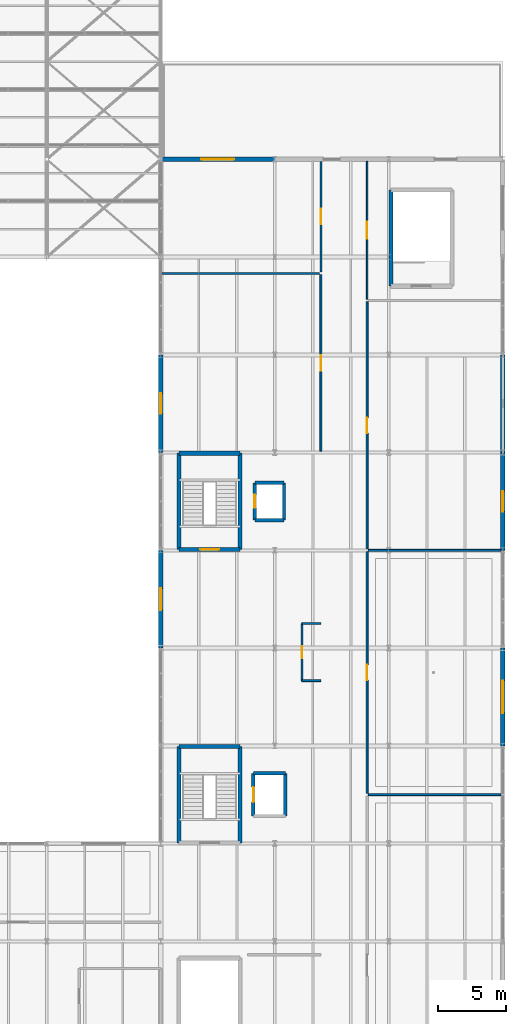
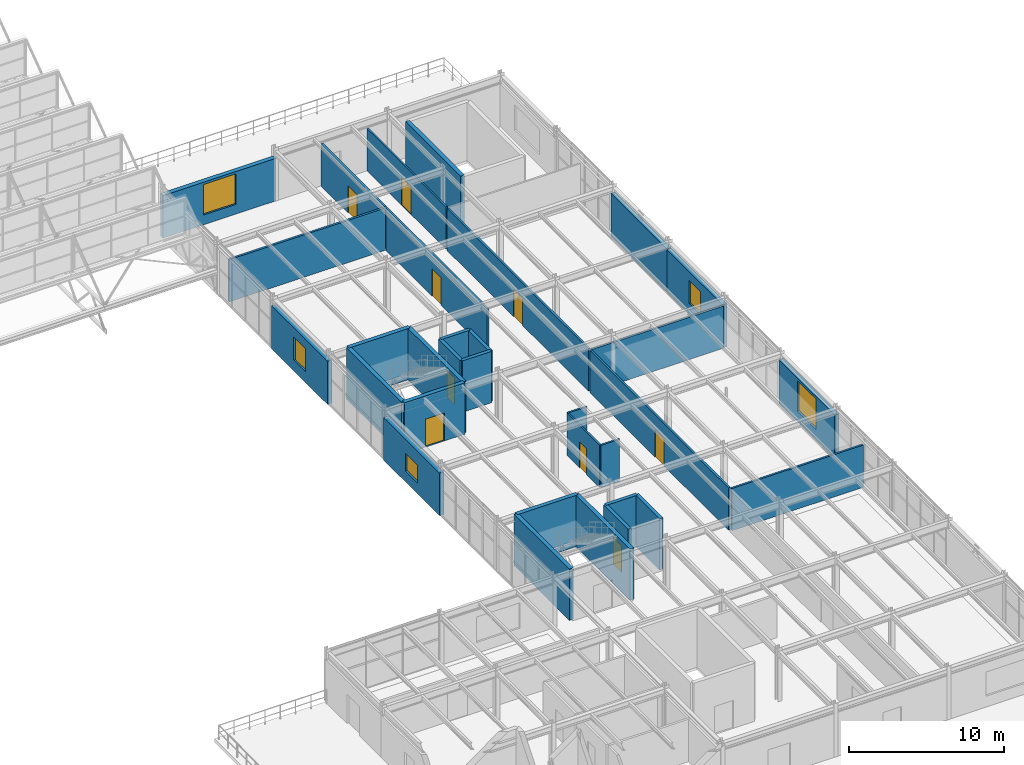
# One storey, part 130 of 134: 32 walls, 9 doors, 5 windows, 14 openings.
"""IFC4 building model written with IfcOpenShell, lengths in metres."""

from ifc_helpers import new_model, si_unit, derived_unit, direction, frame, frame_2d, origin, place, context, subcontext, project, spatial, rectangle, extrude, material, layer, layer_set, type_object, element, fill, save


model = new_model("IFC4")

# Units and contexts
model_context = context("Model", 3, precision=1e-05, world=origin(), true_north=direction((0.0, 1.0)))
body_context = subcontext(model_context, "Body", "Model", "MODEL_VIEW")
ifc_project = project(units=[si_unit("LENGTHUNIT", "METRE"), si_unit("AREAUNIT", "SQUARE_METRE"), si_unit("VOLUMEUNIT", "CUBIC_METRE"), si_unit("PLANEANGLEUNIT", "RADIAN"), si_unit("MASSUNIT", "GRAM", prefix="KILO"), derived_unit("THERMALTRANSMITTANCEUNIT", [(si_unit("MASSUNIT", "GRAM", prefix="KILO"), 1), (si_unit("TIMEUNIT", "SECOND"), -3), (si_unit("THERMODYNAMICTEMPERATUREUNIT", "KELVIN"), -1)])], contexts=[model_context])

# Site, building, storey
site_placement = place(None, origin())
site = spatial("IfcSite", under=ifc_project, at=site_placement, CompositionType="ELEMENT")
building_placement = place(site_placement, origin())
building = spatial("IfcBuilding", under=site, at=building_placement, Name="Kharveza Railside Sports Centre", CompositionType="ELEMENT")
storey_placement = place(building_placement, frame((0.0, 0.0, 12.89990234375)))
storey = spatial("IfcBuildingStorey", under=building, at=storey_placement, Name="L03", CompositionType="ELEMENT", Elevation=12.89990234375)

# Walls
ifc_material_1 = material(Name="Concrete C35/45", Category="concrete")
ifc_layer_1 = layer(ifc_material_1, 0.25, Name="Concrete C35/45")
ifc_layer_set_1 = layer_set([ifc_layer_1], Name="Concrete C35/45")
wall_type_1 = type_object("IfcWallType", Name="WL-CR250", PredefinedType="SHEAR", material=ifc_layer_set_1)
wall_1_placement = place(storey_placement, frame((151.97509765625, 38.02490234375, 0.0), z_axis=(0.0, 0.0, 1.0), x_axis=(0.0, 1.0, 0.0)))
element("IfcWall", 1, at=wall_1_placement, inside=storey, type_object=wall_type_1, Name="WL-LFSH-LF1-L03-E", PredefinedType="SHEAR", context=body_context, shape_type="SweptSolid", body=[
    extrude(rectangle(XDim=3.150146484375, YDim=0.25, at=frame_2d((1.5751953125, 0.0))), origin(), (0.0, 0.0, 1.0), 4.03515625),
])
wall_2_placement = place(storey_placement, frame((151.97509765625, 41.175048828125, 0.0), z_axis=(0.0, 0.0, 1.0), x_axis=(-1.0, 0.0, 0.0)))
element("IfcWall", 2, at=wall_2_placement, inside=storey, type_object=wall_type_1, Name="WL-LFSH-LF1-L03-N", PredefinedType="SHEAR", context=body_context, shape_type="SweptSolid", body=[
    extrude(rectangle(XDim=2.35009765625, YDim=0.25, at=frame_2d((1.175048828125, 0.0))), origin(), (0.0, 0.0, 1.0), 4.03515625),
])

# Wall, opening, door
wall_3_placement = place(storey_placement, frame((149.625, 41.175048828125, 0.0), z_axis=(0.0, 0.0, 1.0), x_axis=(0.0, -1.0, 0.0)))
wall_3 = element("IfcWall", 3, at=wall_3_placement, inside=storey, type_object=wall_type_1, Name="WL-LFSH-LF1-L03-W", PredefinedType="SHEAR", context=body_context, shape_type="SweptSolid", body=[
    extrude(rectangle(XDim=3.150146484375, YDim=0.25, at=frame_2d((1.5751953125, 0.0))), origin(), (0.0, 0.0, 1.0), 4.03515625),
])
opening_1_placement = place(wall_3_placement, frame((1.02490234375, 0.0, 0.0)))
opening_1 = element("IfcOpeningElement", 4, at=opening_1_placement, cuts=wall_3, Name="Opening D11", PredefinedType="OPENING", context=body_context, shape_type="SweptSolid", body=[
    extrude(rectangle(XDim=1.10009765625, YDim=2.10009765625, at=frame_2d((0.550048828125, 1.050048828125))), frame((0.0, 0.14990234375, 0.0), z_axis=(0.0, -1.0, 0.0), x_axis=(1.0, 0.0, 0.0)), (0.0, 0.0, 1.0), 0.2998046875),
])
ifc_material_2 = material(Name="Brushed stainless steel landing door", Category="steel")
door_type_1 = type_object("IfcDoorType", Name="DR-LF01", OperationType="NOTDEFINED", PredefinedType="DOOR", material=ifc_material_2)
door_1_placement = place(opening_1_placement, origin())
door_1 = element("IfcDoor", 5, at=door_1_placement, inside=storey, type_object=door_type_1, Name="DR-LD-LF1-L03", OperationType="SLIDING_TO_LEFT", OverallHeight=2.10009765625, OverallWidth=1.10009765625, PredefinedType="DOOR", context=body_context, shape_type="SweptSolid", body=[
    extrude(rectangle(XDim=1.10009765625, YDim=2.10009765625, at=frame_2d((0.550048828125, 1.050048828125))), frame((0.0, 0.02490234375, 0.0), z_axis=(0.0, -1.0, 0.0), x_axis=(1.0, 0.0, 0.0)), (0.0, 0.0, 1.0), 0.050048828125),
])
fill(opening_1, door_1)

# Walls
wall_4_placement = place(storey_placement, frame((149.72509765625, 59.824951171875, 0.0), z_axis=(0.0, 0.0, 1.0), x_axis=(1.0, 0.0, 0.0)))
element("IfcWall", 6, at=wall_4_placement, inside=storey, type_object=wall_type_1, Name="WL-LFSH-LF2-L03-S", PredefinedType="SHEAR", context=body_context, shape_type="SweptSolid", body=[
    extrude(rectangle(XDim=2.14990234375, YDim=0.25, at=frame_2d((1.074951171875, 0.0))), origin(), (0.0, 0.0, 1.0), 4.03515625),
])
wall_5_placement = place(storey_placement, frame((151.875, 59.824951171875, 0.0), z_axis=(0.0, 0.0, 1.0), x_axis=(0.0, 1.0, 0.0)))
element("IfcWall", 7, at=wall_5_placement, inside=storey, type_object=wall_type_1, Name="WL-LFSH-LF2-L03-E", PredefinedType="SHEAR", context=body_context, shape_type="SweptSolid", body=[
    extrude(rectangle(XDim=2.75, YDim=0.25, at=frame_2d((1.375, 0.0))), origin(), (0.0, 0.0, 1.0), 4.03515625),
])
wall_6_placement = place(storey_placement, frame((151.875, 62.574951171875, 0.0), z_axis=(0.0, 0.0, 1.0), x_axis=(-1.0, 0.0, 0.0)))
element("IfcWall", 8, at=wall_6_placement, inside=storey, type_object=wall_type_1, Name="WL-LFSH-LF2-L03-N", PredefinedType="SHEAR", context=body_context, shape_type="SweptSolid", body=[
    extrude(rectangle(XDim=2.14990234375, YDim=0.25, at=frame_2d((1.074951171875, 0.0))), origin(), (0.0, 0.0, 1.0), 4.03515625),
])

# Wall, opening, door
wall_7_placement = place(storey_placement, frame((149.72509765625, 62.574951171875, 0.0), z_axis=(0.0, 0.0, 1.0), x_axis=(0.0, -1.0, 0.0)))
wall_7 = element("IfcWall", 9, at=wall_7_placement, inside=storey, type_object=wall_type_1, Name="WL-LFSH-LF2-L03-W", PredefinedType="SHEAR", context=body_context, shape_type="SweptSolid", body=[
    extrude(rectangle(XDim=2.75, YDim=0.25, at=frame_2d((1.375, 0.0))), origin(), (0.0, 0.0, 1.0), 4.03515625),
])
opening_2_placement = place(wall_7_placement, frame((0.89990234375, 0.0, 0.0)))
opening_2 = element("IfcOpeningElement", 10, at=opening_2_placement, cuts=wall_7, Name="Opening D12", PredefinedType="OPENING", context=body_context, shape_type="SweptSolid", body=[
    extrude(rectangle(XDim=0.949951171875, YDim=2.10009765625, at=frame_2d((0.47509765625, 1.050048828125))), frame((0.0, 0.14990234375, 0.0), z_axis=(0.0, -1.0, 0.0), x_axis=(1.0, 0.0, 0.0)), (0.0, 0.0, 1.0), 0.2998046875),
])
door_type_2 = type_object("IfcDoorType", Name="DR-LF02", OperationType="NOTDEFINED", PredefinedType="DOOR", material=ifc_material_2)
door_2_placement = place(opening_2_placement, origin())
door_2 = element("IfcDoor", 11, at=door_2_placement, inside=storey, type_object=door_type_2, Name="DR-LD-LF2-L03", OperationType="SLIDING_TO_LEFT", OverallHeight=2.10009765625, OverallWidth=0.949951171875, PredefinedType="DOOR", context=body_context, shape_type="SweptSolid", body=[
    extrude(rectangle(XDim=0.949951171875, YDim=2.10009765625, at=frame_2d((0.47509765625, 1.050048828125))), frame((0.0, 0.02490234375, 0.0), z_axis=(0.0, -1.0, 0.0), x_axis=(1.0, 0.0, 0.0)), (0.0, 0.0, 1.0), 0.050048828125),
])
fill(opening_2, door_2)

# Walls
ifc_layer_2 = layer(ifc_material_1, 0.300048828125, Name="Concrete C35/45")
ifc_layer_set_2 = layer_set([ifc_layer_2], Name="Concrete C35/45")
wall_type_2 = type_object("IfcWallType", Name="WL-CR300", PredefinedType="SHEAR", material=ifc_layer_set_2)
wall_8_placement = place(storey_placement, frame((148.64990234375, 36.050048828125, 0.0), z_axis=(0.0, 0.0, 1.0), x_axis=(0.0, 1.0, 0.0)))
element("IfcWall", 12, at=wall_8_placement, inside=storey, type_object=wall_type_2, Name="WL-CORE-ST1-L03-E", PredefinedType="SHEAR", context=body_context, shape_type="SweptSolid", body=[
    extrude(rectangle(XDim=7.099853515625, YDim=0.300048828125, at=frame_2d((3.5498046875, 0.0))), origin(), (0.0, 0.0, 1.0), 4.03515625),
])
wall_9_placement = place(storey_placement, frame((148.64990234375, 43.14990234375, 0.0), z_axis=(0.0, 0.0, 1.0), x_axis=(-1.0, 0.0, 0.0)))
element("IfcWall", 13, at=wall_9_placement, inside=storey, type_object=wall_type_2, Name="WL-CORE-ST1-L03-N", PredefinedType="SHEAR", context=body_context, shape_type="SweptSolid", body=[
    extrude(rectangle(XDim=4.5, YDim=0.300048828125, at=frame_2d((2.25, 0.0))), origin(), (0.0, 0.0, 1.0), 4.03515625),
])
wall_10_placement = place(storey_placement, frame((144.14990234375, 43.14990234375, 0.0), z_axis=(0.0, 0.0, 1.0), x_axis=(0.0, -1.0, 0.0)))
element("IfcWall", 14, at=wall_10_placement, inside=storey, type_object=wall_type_2, Name="WL-CORE-ST1-L03-W", PredefinedType="SHEAR", context=body_context, shape_type="SweptSolid", body=[
    extrude(rectangle(XDim=7.099853515625, YDim=0.300048828125, at=frame_2d((3.5498046875, 0.0))), origin(), (0.0, 0.0, 1.0), 4.03515625),
])

# Wall, opening, door
wall_11_placement = place(storey_placement, frame((144.14990234375, 57.64990234375, 0.0), z_axis=(0.0, 0.0, 1.0), x_axis=(1.0, 0.0, 0.0)))
wall_11 = element("IfcWall", 15, at=wall_11_placement, inside=storey, type_object=wall_type_2, Name="WL-CORE-ST2-L03-S", PredefinedType="SHEAR", context=body_context, shape_type="SweptSolid", body=[
    extrude(rectangle(XDim=4.5, YDim=0.300048828125, at=frame_2d((2.25, 0.0))), origin(), (0.0, 0.0, 1.0), 4.03515625),
])
opening_3_placement = place(wall_11_placement, frame((1.550048828125, 0.0, 0.0)))
opening_3 = element("IfcOpeningElement", 16, at=opening_3_placement, cuts=wall_11, Name="Opening D09", PredefinedType="OPENING", context=body_context, shape_type="SweptSolid", body=[
    extrude(rectangle(XDim=1.39990234375, YDim=2.199951171875, at=frame_2d((0.699951171875, 1.10009765625))), frame((0.0, 0.1748046875, 0.0), z_axis=(0.0, -1.0, 0.0), x_axis=(1.0, 0.0, 0.0)), (0.0, 0.0, 1.0), 0.349853515625),
])
ifc_material_3 = material(Name="Fire-rated hardwood door leaf", Category="wood")
door_type_3 = type_object("IfcDoorType", Name="DR-ST02", OperationType="NOTDEFINED", PredefinedType="DOOR", material=ifc_material_3)
door_3_placement = place(opening_3_placement, frame((1.39990234375, 0.0, 0.0), z_axis=(0.0, 0.0, 1.0), x_axis=(-1.0, 0.0, 0.0)))
door_3 = element("IfcDoor", 17, at=door_3_placement, inside=storey, type_object=door_type_3, Name="DR-ST-ST2-L03", OperationType="SINGLE_SWING_RIGHT", OverallHeight=2.199951171875, OverallWidth=1.39990234375, PredefinedType="DOOR", context=body_context, shape_type="SweptSolid", body=[
    extrude(rectangle(XDim=1.39990234375, YDim=2.199951171875, at=frame_2d((0.699951171875, 1.10009765625))), frame((0.0, 0.02490234375, 0.0), z_axis=(0.0, -1.0, 0.0), x_axis=(1.0, 0.0, 0.0)), (0.0, 0.0, 1.0), 0.050048828125),
])
fill(opening_3, door_3)

# Walls
wall_12_placement = place(storey_placement, frame((148.64990234375, 57.64990234375, 0.0), z_axis=(0.0, 0.0, 1.0), x_axis=(0.0, 1.0, 0.0)))
element("IfcWall", 18, at=wall_12_placement, inside=storey, type_object=wall_type_2, Name="WL-CORE-ST2-L03-E", PredefinedType="SHEAR", context=body_context, shape_type="SweptSolid", body=[
    extrude(rectangle(XDim=7.10009765625, YDim=0.300048828125, at=frame_2d((3.550048828125, 0.0))), origin(), (0.0, 0.0, 1.0), 4.03515625),
])
wall_13_placement = place(storey_placement, frame((148.64990234375, 64.75, 0.0), z_axis=(0.0, 0.0, 1.0), x_axis=(-1.0, 0.0, 0.0)))
element("IfcWall", 19, at=wall_13_placement, inside=storey, type_object=wall_type_2, Name="WL-CORE-ST2-L03-N", PredefinedType="SHEAR", context=body_context, shape_type="SweptSolid", body=[
    extrude(rectangle(XDim=4.5, YDim=0.300048828125, at=frame_2d((2.25, 0.0))), origin(), (0.0, 0.0, 1.0), 4.03515625),
])
wall_14_placement = place(storey_placement, frame((144.14990234375, 64.75, 0.0), z_axis=(0.0, 0.0, 1.0), x_axis=(0.0, -1.0, 0.0)))
element("IfcWall", 20, at=wall_14_placement, inside=storey, type_object=wall_type_2, Name="WL-CORE-ST2-L03-W", PredefinedType="SHEAR", context=body_context, shape_type="SweptSolid", body=[
    extrude(rectangle(XDim=7.10009765625, YDim=0.300048828125, at=frame_2d((3.550048828125, 0.0))), origin(), (0.0, 0.0, 1.0), 4.03515625),
])
wall_15_placement = place(storey_placement, frame((159.75, 84.14990234375, 0.0), z_axis=(0.0, 0.0, 1.0), x_axis=(0.0, -1.0, 0.0)))
element("IfcWall", 21, at=wall_15_placement, inside=storey, type_object=wall_type_2, Name="WL-CORE-ST4-L03-W", PredefinedType="SHEAR", context=body_context, shape_type="SweptSolid", body=[
    extrude(rectangle(XDim=7.099853515625, YDim=0.300048828125, at=frame_2d((3.5498046875, 0.0))), origin(), (0.0, 0.0, 1.0), 4.56005859375),
])

# Wall, opening, window
ifc_material_4 = material(Name="Precast concrete C40/50", Category="concrete")
ifc_layer_3 = layer(ifc_material_4, 0.320068359375, Name="Precast concrete C40/50")
ifc_layer_set_3 = layer_set([ifc_layer_3], Name="Precast concrete C40/50")
wall_type_3 = type_object("IfcWallType", Name="WL-EX320", PredefinedType="STANDARD", material=ifc_layer_set_3)
wall_16_placement = place(storey_placement, frame((168.0, 43.199951171875, 0.0), z_axis=(0.0, 0.0, 1.0), x_axis=(0.0, 1.0, 0.0)))
wall_16 = element("IfcWall", 22, at=wall_16_placement, inside=storey, type_object=wall_type_3, Name="WL-EXT-L03-222", PredefinedType="STANDARD", context=body_context, shape_type="SweptSolid", body=[
    extrude(rectangle(XDim=7.199951171875, YDim=0.320068359375, at=frame_2d((3.60009765625, 0.0))), origin(), (0.0, 0.0, 1.0), 3.445068359375),
])
opening_4_placement = place(wall_16_placement, frame((2.39990234375, 0.0, 0.85009765625)))
opening_4 = element("IfcOpeningElement", 23, at=opening_4_placement, cuts=wall_16, Name="Opening WN03", PredefinedType="OPENING", context=body_context, shape_type="SweptSolid", body=[
    extrude(rectangle(XDim=2.39990234375, YDim=2.39990234375, at=frame_2d((1.199951171875, 1.199951171875))), frame((0.0, 0.18505859375, 0.0), z_axis=(0.0, -1.0, 0.0), x_axis=(1.0, 0.0, 0.0)), (0.0, 0.0, 1.0), 0.369873046875),
])
ifc_material_5 = material(Name="Low-E solar-control laminated glass", Category="glass")
window_type_1 = type_object("IfcWindowType", Name="WN-F03", PartitioningType="SINGLE_PANEL", PredefinedType="WINDOW", material=ifc_material_5)
window_1_placement = place(opening_4_placement, origin())
window_1 = element("IfcWindow", 24, at=window_1_placement, inside=storey, type_object=window_type_1, Name="WN-EXT-L03-127", OverallHeight=2.39990234375, OverallWidth=2.39990234375, PartitioningType="SINGLE_PANEL", PredefinedType="WINDOW", context=body_context, shape_type="SweptSolid", body=[
    extrude(rectangle(XDim=2.39990234375, YDim=2.39990234375, at=frame_2d((1.199951171875, 1.199951171875))), frame((0.0, 0.030029296875, 0.0), z_axis=(0.0, -1.0, 0.0), x_axis=(1.0, 0.0, 0.0)), (0.0, 0.0, 1.0), 0.06005859375),
])
fill(opening_4, window_1)

wall_17_placement = place(storey_placement, frame((168.0, 57.60009765625, 0.0), z_axis=(0.0, 0.0, 1.0), x_axis=(0.0, 1.0, 0.0)))
wall_17 = element("IfcWall", 25, at=wall_17_placement, inside=storey, type_object=wall_type_3, Name="WL-EXT-L03-223", PredefinedType="STANDARD", context=body_context, shape_type="SweptSolid", body=[
    extrude(rectangle(XDim=7.199951171875, YDim=0.320068359375, at=frame_2d((3.60009765625, 0.0))), origin(), (0.0, 0.0, 1.0), 3.34521484375),
])
opening_5_placement = place(wall_17_placement, frame((2.85009765625, 0.0, 0.85009765625)))
opening_5 = element("IfcOpeningElement", 26, at=opening_5_placement, cuts=wall_17, Name="Opening WN06", PredefinedType="OPENING", context=body_context, shape_type="SweptSolid", body=[
    extrude(rectangle(XDim=1.5, YDim=1.800048828125, at=frame_2d((0.75, 0.89990234375))), frame((0.0, 0.18505859375, 0.0), z_axis=(0.0, -1.0, 0.0), x_axis=(1.0, 0.0, 0.0)), (0.0, 0.0, 1.0), 0.369873046875),
])
window_type_2 = type_object("IfcWindowType", Name="WN-F06", PartitioningType="SINGLE_PANEL", PredefinedType="WINDOW", material=ifc_material_5)
window_2_placement = place(opening_5_placement, origin())
window_2 = element("IfcWindow", 27, at=window_2_placement, inside=storey, type_object=window_type_2, Name="WN-EXT-L03-128", OverallHeight=1.800048828125, OverallWidth=1.5, PartitioningType="SINGLE_PANEL", PredefinedType="WINDOW", context=body_context, shape_type="SweptSolid", body=[
    extrude(rectangle(XDim=1.5, YDim=1.800048828125, at=frame_2d((0.75, 0.89990234375))), frame((0.0, 0.030029296875, 0.0), z_axis=(0.0, -1.0, 0.0), x_axis=(1.0, 0.0, 0.0)), (0.0, 0.0, 1.0), 0.06005859375),
])
fill(opening_5, window_2)

# Wall
wall_18_placement = place(storey_placement, frame((168.0, 64.800048828125, 0.0), z_axis=(0.0, 0.0, 1.0), x_axis=(0.0, 1.0, 0.0)))
element("IfcWall", 28, at=wall_18_placement, inside=storey, type_object=wall_type_3, Name="WL-EXT-L03-224", PredefinedType="STANDARD", context=body_context, shape_type="SweptSolid", body=[
    extrude(rectangle(XDim=7.199951171875, YDim=0.320068359375, at=frame_2d((3.60009765625, 0.0))), origin(), (0.0, 0.0, 1.0), 3.39501953125),
])

# Wall, opening, window
wall_19_placement = place(storey_placement, frame((151.199951171875, 86.39990234375, 0.0), z_axis=(0.0, 0.0, 1.0), x_axis=(-1.0, 0.0, 0.0)))
wall_19 = element("IfcWall", 29, at=wall_19_placement, inside=storey, type_object=wall_type_3, Name="WL-EXT-L03-228", PredefinedType="STANDARD", context=body_context, shape_type="SweptSolid", body=[
    extrude(rectangle(XDim=8.39990234375, YDim=0.320068359375, at=frame_2d((4.199951171875, 0.0))), origin(), (0.0, 0.0, 1.0), 3.34521484375),
])
opening_6_placement = place(wall_19_placement, frame((3.0, 0.0, 0.764892578125)))
opening_6 = element("IfcOpeningElement", 30, at=opening_6_placement, cuts=wall_19, Name="Opening WN03", PredefinedType="OPENING", context=body_context, shape_type="SweptSolid", body=[
    extrude(rectangle(XDim=2.39990234375, YDim=2.39990234375, at=frame_2d((1.199951171875, 1.199951171875))), frame((0.0, 0.18505859375, 0.0), z_axis=(0.0, -1.0, 0.0), x_axis=(1.0, 0.0, 0.0)), (0.0, 0.0, 1.0), 0.369873046875),
])
window_3_placement = place(opening_6_placement, origin())
window_3 = element("IfcWindow", 31, at=window_3_placement, inside=storey, type_object=window_type_1, Name="WN-EXT-L03-130", OverallHeight=2.39990234375, OverallWidth=2.39990234375, PartitioningType="SINGLE_PANEL", PredefinedType="WINDOW", context=body_context, shape_type="SweptSolid", body=[
    extrude(rectangle(XDim=2.39990234375, YDim=2.39990234375, at=frame_2d((1.199951171875, 1.199951171875))), frame((0.0, 0.030029296875, 0.0), z_axis=(0.0, -1.0, 0.0), x_axis=(1.0, 0.0, 0.0)), (0.0, 0.0, 1.0), 0.06005859375),
])
fill(opening_6, window_3)

wall_20_placement = place(storey_placement, frame((142.800048828125, 72.0, 0.0), z_axis=(0.0, 0.0, 1.0), x_axis=(0.0, -1.0, 0.0)))
wall_20 = element("IfcWall", 32, at=wall_20_placement, inside=storey, type_object=wall_type_3, Name="WL-EXT-L03-229", PredefinedType="STANDARD", context=body_context, shape_type="SweptSolid", body=[
    extrude(rectangle(XDim=7.199951171875, YDim=0.320068359375, at=frame_2d((3.60009765625, 0.0))), origin(), (0.0, 0.0, 1.0), 3.39501953125),
])
opening_7_placement = place(wall_20_placement, frame((2.85009765625, 0.0, 0.85009765625)))
opening_7 = element("IfcOpeningElement", 33, at=opening_7_placement, cuts=wall_20, Name="Opening WN06", PredefinedType="OPENING", context=body_context, shape_type="SweptSolid", body=[
    extrude(rectangle(XDim=1.5, YDim=1.800048828125, at=frame_2d((0.75, 0.89990234375))), frame((0.0, 0.18505859375, 0.0), z_axis=(0.0, -1.0, 0.0), x_axis=(1.0, 0.0, 0.0)), (0.0, 0.0, 1.0), 0.369873046875),
])
window_4_placement = place(opening_7_placement, origin())
window_4 = element("IfcWindow", 34, at=window_4_placement, inside=storey, type_object=window_type_2, Name="WN-EXT-L03-131", OverallHeight=1.800048828125, OverallWidth=1.5, PartitioningType="SINGLE_PANEL", PredefinedType="WINDOW", context=body_context, shape_type="SweptSolid", body=[
    extrude(rectangle(XDim=1.5, YDim=1.800048828125, at=frame_2d((0.75, 0.89990234375))), frame((0.0, 0.030029296875, 0.0), z_axis=(0.0, -1.0, 0.0), x_axis=(1.0, 0.0, 0.0)), (0.0, 0.0, 1.0), 0.06005859375),
])
fill(opening_7, window_4)

wall_21_placement = place(storey_placement, frame((142.800048828125, 57.60009765625, 0.0), z_axis=(0.0, 0.0, 1.0), x_axis=(0.0, -1.0, 0.0)))
wall_21 = element("IfcWall", 35, at=wall_21_placement, inside=storey, type_object=wall_type_3, Name="WL-EXT-L03-230", PredefinedType="STANDARD", context=body_context, shape_type="SweptSolid", body=[
    extrude(rectangle(XDim=7.2001953125, YDim=0.320068359375, at=frame_2d((3.60009765625, 0.0))), origin(), (0.0, 0.0, 1.0), 3.34521484375),
])
opening_8_placement = place(wall_21_placement, frame((2.800048828125, 0.0, 0.85009765625)))
opening_8 = element("IfcOpeningElement", 36, at=opening_8_placement, cuts=wall_21, Name="Opening WN14", PredefinedType="OPENING", context=body_context, shape_type="SweptSolid", body=[
    extrude(rectangle(XDim=1.60009765625, YDim=1.39990234375, at=frame_2d((0.800048828125, 0.699951171875))), frame((0.0, 0.18505859375, 0.0), z_axis=(0.0, -1.0, 0.0), x_axis=(1.0, 0.0, 0.0)), (0.0, 0.0, 1.0), 0.369873046875),
])
window_type_3 = type_object("IfcWindowType", Name="WN-F14", PartitioningType="SINGLE_PANEL", PredefinedType="WINDOW", material=ifc_material_5)
window_5_placement = place(opening_8_placement, origin())
window_5 = element("IfcWindow", 37, at=window_5_placement, inside=storey, type_object=window_type_3, Name="WN-EXT-L03-132", OverallHeight=1.39990234375, OverallWidth=1.60009765625, PartitioningType="SINGLE_PANEL", PredefinedType="WINDOW", context=body_context, shape_type="SweptSolid", body=[
    extrude(rectangle(XDim=1.60009765625, YDim=1.39990234375, at=frame_2d((0.800048828125, 0.699951171875))), frame((0.0, 0.030029296875, 0.0), z_axis=(0.0, -1.0, 0.0), x_axis=(1.0, 0.0, 0.0)), (0.0, 0.0, 1.0), 0.06005859375),
])
fill(opening_8, window_5)

# Wall, opening, door
ifc_material_6 = material(Name="Gypsum board acoustic stud partition")
ifc_layer_4 = layer(ifc_material_6, 0.114990234375, Name="Gypsum board acoustic stud partition")
ifc_layer_set_4 = layer_set([ifc_layer_4], Name="Gypsum board acoustic stud partition")
wall_type_4 = type_object("IfcWallType", Name="WL-PT115", PredefinedType="PARTITIONING", material=ifc_layer_set_4)
wall_22_placement = place(storey_placement, frame((158.0, 76.10009765625, 0.0), z_axis=(0.0, 0.0, 1.0), x_axis=(0.0, 1.0, 0.0)))
wall_22 = element("IfcWall", 38, at=wall_22_placement, inside=storey, type_object=wall_type_4, Name="WL-INT-L03-114", PredefinedType="PARTITIONING", context=body_context, shape_type="SweptSolid", body=[
    extrude(rectangle(XDim=10.14990234375, YDim=0.114990234375, at=frame_2d((5.074951171875, 0.0))), origin(), (0.0, 0.0, 1.0), 3.320068359375),
])
opening_9_placement = place(wall_22_placement, frame((4.449951171875, 0.0, 0.0)))
opening_9 = element("IfcOpeningElement", 39, at=opening_9_placement, cuts=wall_22, Name="Opening D22", PredefinedType="OPENING", context=body_context, shape_type="SweptSolid", body=[
    extrude(rectangle(XDim=1.25, YDim=2.199951171875, at=frame_2d((0.625, 1.10009765625))), frame((0.0, 0.08251953125, 0.0), z_axis=(0.0, -1.0, 0.0), x_axis=(1.0, 0.0, 0.0)), (0.0, 0.0, 1.0), 0.164794921875),
])
door_type_4 = type_object("IfcDoorType", Name="DR-PL02", OperationType="NOTDEFINED", PredefinedType="DOOR", material=ifc_material_3)
door_4_placement = place(opening_9_placement, frame((1.25, 0.0, 0.0), z_axis=(0.0, 0.0, 1.0), x_axis=(-1.0, 0.0, 0.0)))
door_4 = element("IfcDoor", 40, at=door_4_placement, inside=storey, type_object=door_type_4, Name="DR-INT-L03-063", OperationType="SINGLE_SWING_RIGHT", OverallHeight=2.199951171875, OverallWidth=1.25, PredefinedType="DOOR", context=body_context, shape_type="SweptSolid", body=[
    extrude(rectangle(XDim=1.25, YDim=2.199951171875, at=frame_2d((0.625, 1.10009765625))), frame((0.0, 0.02490234375, 0.0), z_axis=(0.0, -1.0, 0.0), x_axis=(1.0, 0.0, 0.0)), (0.0, 0.0, 1.0), 0.050048828125),
])
fill(opening_9, door_4)

ifc_layer_5 = layer(ifc_material_1, 0.1298828125, Name="Concrete C35/45")
ifc_layer_set_5 = layer_set([ifc_layer_5], Name="Concrete C35/45")
wall_type_5 = type_object("IfcWallType", Name="WL-PT130", PredefinedType="PARTITIONING", material=ifc_layer_set_5)
wall_23_placement = place(storey_placement, frame((153.199951171875, 48.0, 0.0), z_axis=(0.0, 0.0, 1.0), x_axis=(0.0, 1.0, 0.0)))
wall_23 = element("IfcWall", 41, at=wall_23_placement, inside=storey, type_object=wall_type_5, Name="WL-INT-L03-116", PredefinedType="PARTITIONING", context=body_context, shape_type="SweptSolid", body=[
    extrude(rectangle(XDim=4.199951171875, YDim=0.1298828125, at=frame_2d((2.10009765625, 0.0))), origin(), (0.0, 0.0, 1.0), 3.320068359375),
])
opening_10_placement = place(wall_23_placement, frame((1.64990234375, 0.0, 0.0)))
opening_10 = element("IfcOpeningElement", 42, at=opening_10_placement, cuts=wall_23, Name="Opening D24", PredefinedType="OPENING", context=body_context, shape_type="SweptSolid", body=[
    extrude(rectangle(XDim=0.89990234375, YDim=2.050048828125, at=frame_2d((0.449951171875, 1.02490234375))), frame((0.0, 0.08984375, 0.0), z_axis=(0.0, -1.0, 0.0), x_axis=(1.0, 0.0, 0.0)), (0.0, 0.0, 1.0), 0.1796875),
])
door_type_5 = type_object("IfcDoorType", Name="DR-TP02", OperationType="NOTDEFINED", PredefinedType="TRAPDOOR", material=ifc_material_3)
door_5_placement = place(opening_10_placement, origin())
door_5 = element("IfcDoor", 43, at=door_5_placement, inside=storey, type_object=door_type_5, Name="DR-INT-L03-064", OperationType="SINGLE_SWING_LEFT", OverallHeight=2.050048828125, OverallWidth=0.89990234375, PredefinedType="TRAPDOOR", context=body_context, shape_type="SweptSolid", body=[
    extrude(rectangle(XDim=0.89990234375, YDim=2.050048828125, at=frame_2d((0.449951171875, 1.02490234375))), frame((0.0, 0.02490234375, 0.0), z_axis=(0.0, -1.0, 0.0), x_axis=(1.0, 0.0, 0.0)), (0.0, 0.0, 1.0), 0.050048828125),
])
fill(opening_10, door_5)

# Walls
for number, where, z_axis, x_axis, name in (
    (44, (153.199951171875, 52.199951171875, 0.0), (0.0, 0.0, 1.0), (1.0, 0.0, 0.0), "WL-INT-L03-117"),
    (45, (153.199951171875, 48.0, 0.0), (0.0, 0.0, 1.0), (1.0, 0.0, 0.0), "WL-INT-L03-118"),
):
    element("IfcWall", number, at=place(storey_placement, frame(where, z_axis=z_axis, x_axis=x_axis)), inside=storey, type_object=wall_type_5, Name=name, PredefinedType="PARTITIONING", context=body_context, shape_type="SweptSolid", body=[
        extrude(rectangle(XDim=1.400146484375, YDim=0.1298828125, at=frame_2d((0.7001953125, 0.0))), origin(), (0.0, 0.0, 1.0), 3.320068359375),
    ])

# Wall, opening, door
ifc_layer_6 = layer(ifc_material_6, 0.14501953125, Name="Gypsum board acoustic stud partition")
ifc_layer_set_6 = layer_set([ifc_layer_6], Name="Gypsum board acoustic stud partition")
wall_type_6 = type_object("IfcWallType", Name="WL-PT145", PredefinedType="PARTITIONING", material=ifc_layer_set_6)
wall_24_placement = place(storey_placement, frame((158.0, 39.699951171875, 0.0), z_axis=(0.0, 0.0, 1.0), x_axis=(0.0, 1.0, 0.0)))
wall_24 = element("IfcWall", 46, at=wall_24_placement, inside=storey, type_object=wall_type_6, Name="WL-INT-L03-107", PredefinedType="PARTITIONING", context=body_context, shape_type="SweptSolid", body=[
    extrude(rectangle(XDim=17.800048828125, YDim=0.14501953125, at=frame_2d((8.89990234375, 0.0))), origin(), (0.0, 0.0, 1.0), 3.320068359375),
])
opening_11_placement = place(wall_24_placement, frame((8.324951171875, 0.0, 0.0)))
opening_11 = element("IfcOpeningElement", 47, at=opening_11_placement, cuts=wall_24, Name="Opening D17", PredefinedType="OPENING", context=body_context, shape_type="SweptSolid", body=[
    extrude(rectangle(XDim=1.14990234375, YDim=2.14990234375, at=frame_2d((0.574951171875, 1.074951171875))), frame((0.0, 0.097412109375, 0.0), z_axis=(0.0, -1.0, 0.0), x_axis=(1.0, 0.0, 0.0)), (0.0, 0.0, 1.0), 0.19482421875),
])
door_type_6 = type_object("IfcDoorType", Name="DR-IN05", OperationType="NOTDEFINED", PredefinedType="DOOR", material=ifc_material_3)
door_6_placement = place(opening_11_placement, origin())
door_6 = element("IfcDoor", 48, at=door_6_placement, inside=storey, type_object=door_type_6, Name="DR-INT-L03-059", OperationType="SINGLE_SWING_RIGHT", OverallHeight=2.14990234375, OverallWidth=1.14990234375, PredefinedType="DOOR", context=body_context, shape_type="SweptSolid", body=[
    extrude(rectangle(XDim=1.14990234375, YDim=2.14990234375, at=frame_2d((0.574951171875, 1.074951171875))), frame((0.0, 0.02490234375, 0.0), z_axis=(0.0, -1.0, 0.0), x_axis=(1.0, 0.0, 0.0)), (0.0, 0.0, 1.0), 0.050048828125),
])
fill(opening_11, door_6)

wall_25_placement = place(storey_placement, frame((158.0, 57.699951171875, 0.0), z_axis=(0.0, 0.0, 1.0), x_axis=(0.0, 1.0, 0.0)))
wall_25 = element("IfcWall", 49, at=wall_25_placement, inside=storey, type_object=wall_type_6, Name="WL-INT-L03-108", PredefinedType="PARTITIONING", context=body_context, shape_type="SweptSolid", body=[
    extrude(rectangle(XDim=18.199951171875, YDim=0.14501953125, at=frame_2d((9.10009765625, 0.0))), origin(), (0.0, 0.0, 1.0), 3.320068359375),
])
opening_12_placement = place(wall_25_placement, frame((8.52490234375, 0.0, 0.0)))
opening_12 = element("IfcOpeningElement", 50, at=opening_12_placement, cuts=wall_25, Name="Opening D17", PredefinedType="OPENING", context=body_context, shape_type="SweptSolid", body=[
    extrude(rectangle(XDim=1.14990234375, YDim=2.14990234375, at=frame_2d((0.574951171875, 1.074951171875))), frame((0.0, 0.097412109375, 0.0), z_axis=(0.0, -1.0, 0.0), x_axis=(1.0, 0.0, 0.0)), (0.0, 0.0, 1.0), 0.19482421875),
])
door_7_placement = place(opening_12_placement, frame((1.14990234375, 0.0, 0.0), z_axis=(0.0, 0.0, 1.0), x_axis=(-1.0, 0.0, 0.0)))
door_7 = element("IfcDoor", 51, at=door_7_placement, inside=storey, type_object=door_type_6, Name="DR-INT-L03-060", OperationType="SINGLE_SWING_LEFT", OverallHeight=2.14990234375, OverallWidth=1.14990234375, PredefinedType="DOOR", context=body_context, shape_type="SweptSolid", body=[
    extrude(rectangle(XDim=1.14990234375, YDim=2.14990234375, at=frame_2d((0.574951171875, 1.074951171875))), frame((0.0, 0.02490234375, 0.0), z_axis=(0.0, -1.0, 0.0), x_axis=(1.0, 0.0, 0.0)), (0.0, 0.0, 1.0), 0.050048828125),
])
fill(opening_12, door_7)

# Walls
for number, where, z_axis, x_axis, name in (
    (52, (158.10009765625, 39.60009765625, 0.0), (0.0, 0.0, 1.0), (1.0, 0.0, 0.0), "WL-INT-L03-109"),
    (53, (158.10009765625, 57.60009765625, 0.0), (0.0, 0.0, 1.0), (1.0, 0.0, 0.0), "WL-INT-L03-110"),
):
    element("IfcWall", number, at=place(storey_placement, frame(where, z_axis=z_axis, x_axis=x_axis)), inside=storey, type_object=wall_type_6, Name=name, PredefinedType="PARTITIONING", context=body_context, shape_type="SweptSolid", body=[
        extrude(rectangle(XDim=9.75, YDim=0.14501953125, at=frame_2d((4.875, 0.0))), origin(), (0.0, 0.0, 1.0), 3.320068359375),
    ])

# Wall, opening, door
wall_26_placement = place(storey_placement, frame((154.60009765625, 64.89990234375, 0.0), z_axis=(0.0, 0.0, 1.0), x_axis=(0.0, 1.0, 0.0)))
wall_26 = element("IfcWall", 54, at=wall_26_placement, inside=storey, type_object=wall_type_6, Name="WL-INT-L03-111", PredefinedType="PARTITIONING", context=body_context, shape_type="SweptSolid", body=[
    extrude(rectangle(XDim=13.0, YDim=0.14501953125, at=frame_2d((6.5, 0.0))), origin(), (0.0, 0.0, 1.0), 3.320068359375),
])
opening_13_placement = place(wall_26_placement, frame((5.925048828125, 0.0, 0.0)))
opening_13 = element("IfcOpeningElement", 55, at=opening_13_placement, cuts=wall_26, Name="Opening D17", PredefinedType="OPENING", context=body_context, shape_type="SweptSolid", body=[
    extrude(rectangle(XDim=1.14990234375, YDim=2.14990234375, at=frame_2d((0.574951171875, 1.074951171875))), frame((0.0, 0.097412109375, 0.0), z_axis=(0.0, -1.0, 0.0), x_axis=(1.0, 0.0, 0.0)), (0.0, 0.0, 1.0), 0.19482421875),
])
door_8_placement = place(opening_13_placement, origin())
door_8 = element("IfcDoor", 56, at=door_8_placement, inside=storey, type_object=door_type_6, Name="DR-INT-L03-061", OperationType="SINGLE_SWING_RIGHT", OverallHeight=2.14990234375, OverallWidth=1.14990234375, PredefinedType="DOOR", context=body_context, shape_type="SweptSolid", body=[
    extrude(rectangle(XDim=1.14990234375, YDim=2.14990234375, at=frame_2d((0.574951171875, 1.074951171875))), frame((0.0, 0.02490234375, 0.0), z_axis=(0.0, -1.0, 0.0), x_axis=(1.0, 0.0, 0.0)), (0.0, 0.0, 1.0), 0.050048828125),
])
fill(opening_13, door_8)

ifc_layer_7 = layer(ifc_material_1, 0.159912109375, Name="Concrete C35/45")
ifc_layer_set_7 = layer_set([ifc_layer_7], Name="Concrete C35/45")
wall_type_7 = type_object("IfcWallType", Name="WL-PT160", PredefinedType="PARTITIONING", material=ifc_layer_set_7)
wall_27_placement = place(storey_placement, frame((154.60009765625, 78.10009765625, 0.0), z_axis=(0.0, 0.0, 1.0), x_axis=(0.0, 1.0, 0.0)))
wall_27 = element("IfcWall", 57, at=wall_27_placement, inside=storey, type_object=wall_type_7, Name="WL-INT-L03-112", PredefinedType="PARTITIONING", context=body_context, shape_type="SweptSolid", body=[
    extrude(rectangle(XDim=8.14990234375, YDim=0.159912109375, at=frame_2d((4.074951171875, 0.0))), origin(), (0.0, 0.0, 1.0), 3.320068359375),
])
opening_14_placement = place(wall_27_placement, frame((3.5, 0.0, 0.0)))
opening_14 = element("IfcOpeningElement", 58, at=opening_14_placement, cuts=wall_27, Name="Opening D17", PredefinedType="OPENING", context=body_context, shape_type="SweptSolid", body=[
    extrude(rectangle(XDim=1.14990234375, YDim=2.14990234375, at=frame_2d((0.574951171875, 1.074951171875))), frame((0.0, 0.10498046875, 0.0), z_axis=(0.0, -1.0, 0.0), x_axis=(1.0, 0.0, 0.0)), (0.0, 0.0, 1.0), 0.209716796875),
])
door_9_placement = place(opening_14_placement, origin())
door_9 = element("IfcDoor", 59, at=door_9_placement, inside=storey, type_object=door_type_6, Name="DR-INT-L03-062", OperationType="SINGLE_SWING_LEFT", OverallHeight=2.14990234375, OverallWidth=1.14990234375, PredefinedType="DOOR", context=body_context, shape_type="SweptSolid", body=[
    extrude(rectangle(XDim=1.14990234375, YDim=2.14990234375, at=frame_2d((0.574951171875, 1.074951171875))), frame((0.0, 0.02490234375, 0.0), z_axis=(0.0, -1.0, 0.0), x_axis=(1.0, 0.0, 0.0)), (0.0, 0.0, 1.0), 0.050048828125),
])
fill(opening_14, door_9)

# Wall
wall_28_placement = place(storey_placement, frame((142.89990234375, 78.0, 0.0), z_axis=(0.0, 0.0, 1.0), x_axis=(1.0, 0.0, 0.0)))
element("IfcWall", 60, at=wall_28_placement, inside=storey, type_object=wall_type_7, Name="WL-INT-L03-113", PredefinedType="PARTITIONING", context=body_context, shape_type="SweptSolid", body=[
    extrude(rectangle(XDim=11.60009765625, YDim=0.159912109375, at=frame_2d((5.800048828125, 0.0))), origin(), (0.0, 0.0, 1.0), 3.320068359375),
])

save(model, "model.ifc")
